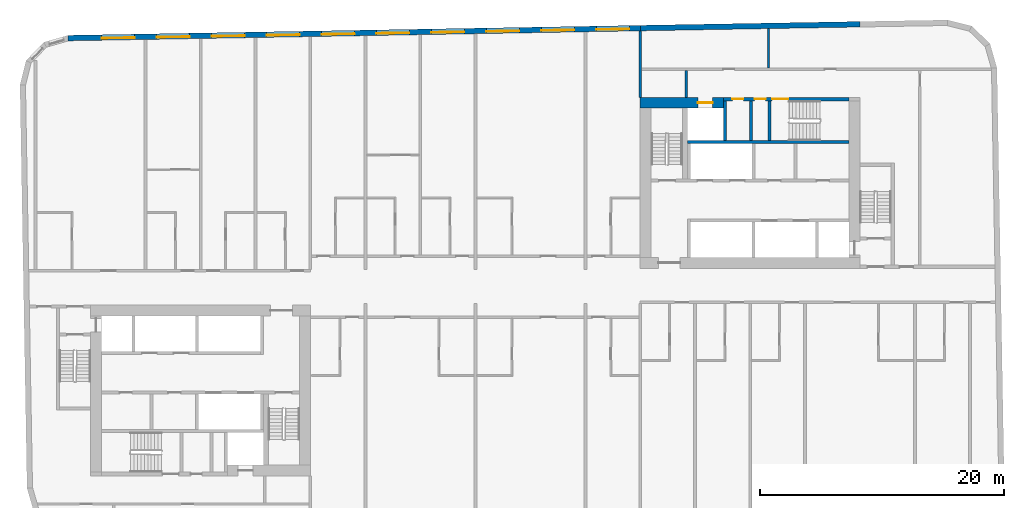
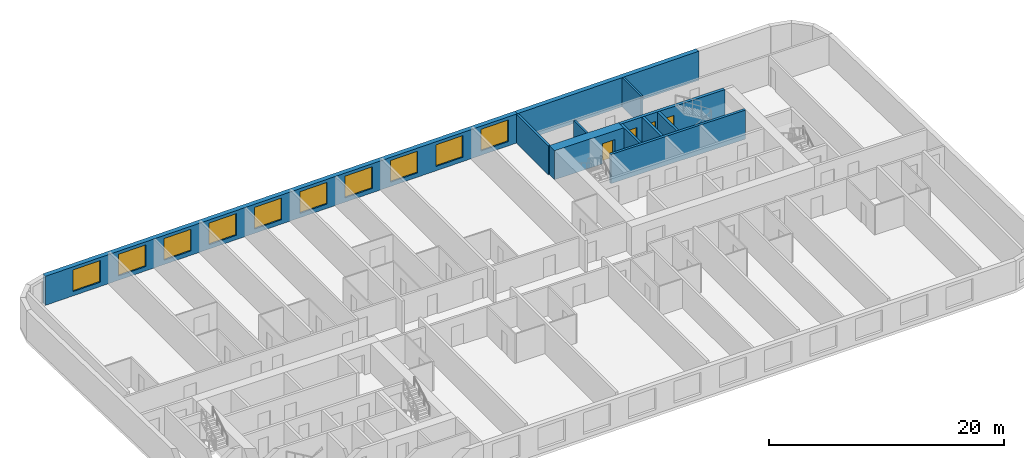
# One storey, part 6 of 11: 11 walls, 10 windows, 4 doors, 14 openings.
"""IFC4 building model written with IfcOpenShell, lengths in metres."""

from ifc_helpers import new_model, si_unit, direction, frame, frame_2d, origin, place, context, subcontext, project, spatial, rectangle, extrude, material, layer, layer_set, type_object, element, fill, save


model = new_model("IFC4")

# Units and contexts
model_context = context("Model", 3, precision=1e-05, world=origin(), true_north=direction((0.0, 1.0)))
body_context = subcontext(model_context, "Body", "Model", "MODEL_VIEW")
ifc_project = project(units=[si_unit("LENGTHUNIT", "METRE"), si_unit("AREAUNIT", "SQUARE_METRE"), si_unit("VOLUMEUNIT", "CUBIC_METRE"), si_unit("PLANEANGLEUNIT", "RADIAN"), si_unit("MASSUNIT", "GRAM", prefix="KILO")], contexts=[model_context])

# Site, building, storey
site_placement = place(None, origin())
site = spatial("IfcSite", under=ifc_project, at=site_placement, CompositionType="ELEMENT")
building_placement = place(site_placement, origin())
building = spatial("IfcBuilding", under=site, at=building_placement, Name="Kajstack Hotel Tower", CompositionType="ELEMENT")
storey_placement = place(building_placement, frame((0.0, 0.0, 250.699951171875)))
storey = spatial("IfcBuildingStorey", under=building, at=storey_placement, Name="L62", CompositionType="ELEMENT", Elevation=250.699951171875)

# Wall, opening, door
ifc_material_1 = material(Name="Concrete C60/75", Category="concrete")
ifc_layer_1 = layer(ifc_material_1, 0.89990234375)
ifc_layer_set_1 = layer_set([ifc_layer_1], Name="Core wall 900")
wall_type_1 = type_object("IfcWallType", Name="Core wall 900", PredefinedType="SHEAR", material=ifc_layer_set_1)
wall_1_placement = place(storey_placement, frame((13.5, 15.050048828125, 0.0), z_axis=(0.0, 0.0, 1.0), x_axis=(1.0, 0.0, 0.0)))
wall_1 = element("IfcWall", 1, at=wall_1_placement, inside=storey, type_object=wall_type_1, Name="Core wall E RS", PredefinedType="SHEAR", context=body_context, shape_type="SweptSolid", body=[
    extrude(rectangle(XDim=6.800048828125, YDim=0.89990234375, at=frame_2d((3.39990234375, 0.0))), origin(), (0.0, 0.0, 1.0), 3.02001953125),
])
opening_1_placement = place(wall_1_placement, frame((4.72509765625, 0.0, 0.0)))
opening_1 = element("IfcOpeningElement", 2, at=opening_1_placement, cuts=wall_1, Name="Opening LD-SV2", PredefinedType="OPENING", context=body_context, shape_type="SweptSolid", body=[
    extrude(rectangle(XDim=1.199951171875, YDim=2.10009765625, at=frame_2d((0.60009765625, 1.050048828125))), frame((0.0, 0.4599609375, 0.0), z_axis=(0.0, -1.0, 0.0), x_axis=(1.0, 0.0, 0.0)), (0.0, 0.0, 1.0), 0.919921875),
])
ifc_material_2 = material(Name="Stainless steel", Category="steel")
door_type_1 = type_object("IfcDoorType", Name="Lift landing door 1200", OperationType="SLIDING_TO_LEFT", PredefinedType="DOOR", material=ifc_material_2)
door_1_placement = place(opening_1_placement, origin())
door_1 = element("IfcDoor", 3, at=door_1_placement, inside=storey, type_object=door_type_1, Name="Landing door SV2", OperationType="SLIDING_TO_LEFT", OverallHeight=2.10009765625, OverallWidth=1.199951171875, PredefinedType="DOOR", context=body_context, shape_type="SweptSolid", body=[
    extrude(rectangle(XDim=1.199951171875, YDim=2.10009765625, at=frame_2d((0.60009765625, 1.050048828125))), frame((0.0, 0.02490234375, 0.0), z_axis=(0.0, -1.0, 0.0), x_axis=(1.0, 0.0, 0.0)), (0.0, 0.0, 1.0), 0.050048828125),
])
fill(opening_1, door_1)

# Walls
ifc_material_3 = material(Name="Twin-frame gypsum board on steel studs, mineral wool", Category="steel")
ifc_layer_2 = layer(ifc_material_3, 0.199951171875)
ifc_layer_set_2 = layer_set([ifc_layer_2], Name="Demising wall 200")
wall_type_2 = type_object("IfcWallType", Name="Demising wall 200", PredefinedType="PARTITIONING", material=ifc_layer_set_2)
wall_2_placement = place(storey_placement, frame((13.5, 15.5, 0.0), z_axis=(0.0, 0.0, 1.0), x_axis=(0.0, 1.0, 0.0)))
element("IfcWall", 4, at=wall_2_placement, inside=storey, type_object=wall_type_2, Name="G-wall-L62-001", PredefinedType="PARTITIONING", context=body_context, shape_type="SweptSolid", body=[
    extrude(rectangle(XDim=5.43603515625, YDim=0.199951171875, at=frame_2d((2.718017578125, 0.0))), origin(), (0.0, 0.0, 1.0), 3.02001953125),
])
ifc_material_4 = material(Name="Concrete C40/50", Category="concrete")
ifc_layer_3 = layer(ifc_material_4, 0.449951171875)
ifc_layer_set_3 = layer_set([ifc_layer_3], Name="EW-CORE")
wall_type_3 = type_object("IfcWallType", Name="EW-CORE", PredefinedType="SOLIDWALL", material=ifc_layer_set_3)
wall_3_placement = place(storey_placement, frame((31.50390625, 21.4755859375, 0.0), z_axis=(0.0, 0.0, 1.0), x_axis=(-0.999847677887, -0.017453395744, 0.0)))
element("IfcWall", 5, at=wall_3_placement, inside=storey, type_object=wall_type_3, Name="E-wall-L62-12-01", PredefinedType="SOLIDWALL", context=body_context, shape_type="SweptSolid", body=[
    extrude(rectangle(XDim=18.002685546875, YDim=0.449951171875, at=frame_2d((9.00146484375, 0.0))), origin(), (0.0, 0.0, 1.0), 3.02001953125),
])

# Wall, openings, windows
ifc_material_5 = material(Name="Terracotta-faced brick masonry", Category="masonry")
ifc_layer_4 = layer(ifc_material_5, 0.449951171875)
ifc_layer_set_4 = layer_set([ifc_layer_4], Name="EW-TERRA")
wall_type_4 = type_object("IfcWallType", Name="EW-TERRA", PredefinedType="SOLIDWALL", material=ifc_layer_set_4)
wall_4_placement = place(storey_placement, frame((13.50390625, 21.161376953125, 0.0), z_axis=(0.0, 0.0, 1.0), x_axis=(-0.999847763257, -0.017448504532, 0.0)))
wall_4 = element("IfcWall", 6, at=wall_4_placement, inside=storey, type_object=wall_type_4, Name="E-wall-L62-12-02", PredefinedType="SOLIDWALL", context=body_context, shape_type="SweptSolid", body=[
    extrude(rectangle(XDim=46.859375, YDim=0.449951171875, at=frame_2d((23.4296875, 0.0))), origin(), (0.0, 0.0, 1.0), 3.02001953125),
])
opening_2_placement = place(wall_4_placement, frame((0.900390625, 0.0, 0.449951171875)))
opening_2 = element("IfcOpeningElement", 7, at=opening_2_placement, cuts=wall_4, Name="Opening W1", PredefinedType="OPENING", context=body_context, shape_type="SweptSolid", body=[
    extrude(rectangle(XDim=2.699951171875, YDim=2.25, at=frame_2d((1.35009765625, 1.125))), frame((0.0, 0.23486328125, 0.0), z_axis=(0.0, -1.0, 0.0), x_axis=(1.0, 0.0, 0.0)), (0.0, 0.0, 1.0), 0.469970703125),
])
opening_3_placement = place(wall_4_placement, frame((5.401123046875, 0.0, 0.449951171875)))
opening_3 = element("IfcOpeningElement", 8, at=opening_3_placement, cuts=wall_4, Name="Opening W1", PredefinedType="OPENING", context=body_context, shape_type="SweptSolid", body=[
    extrude(rectangle(XDim=2.699951171875, YDim=2.25, at=frame_2d((1.35009765625, 1.125))), frame((0.0, 0.23486328125, 0.0), z_axis=(0.0, -1.0, 0.0), x_axis=(1.0, 0.0, 0.0)), (0.0, 0.0, 1.0), 0.469970703125),
])
opening_4_placement = place(wall_4_placement, frame((9.90185546875, 0.0, 0.449951171875)))
opening_4 = element("IfcOpeningElement", 9, at=opening_4_placement, cuts=wall_4, Name="Opening W1", PredefinedType="OPENING", context=body_context, shape_type="SweptSolid", body=[
    extrude(rectangle(XDim=2.699951171875, YDim=2.25, at=frame_2d((1.35009765625, 1.125))), frame((0.0, 0.23486328125, 0.0), z_axis=(0.0, -1.0, 0.0), x_axis=(1.0, 0.0, 0.0)), (0.0, 0.0, 1.0), 0.469970703125),
])
opening_5_placement = place(wall_4_placement, frame((14.40234375, 0.0, 0.449951171875)))
opening_5 = element("IfcOpeningElement", 10, at=opening_5_placement, cuts=wall_4, Name="Opening W1", PredefinedType="OPENING", context=body_context, shape_type="SweptSolid", body=[
    extrude(rectangle(XDim=2.699951171875, YDim=2.25, at=frame_2d((1.35009765625, 1.125))), frame((0.0, 0.23486328125, 0.0), z_axis=(0.0, -1.0, 0.0), x_axis=(1.0, 0.0, 0.0)), (0.0, 0.0, 1.0), 0.469970703125),
])
opening_6_placement = place(wall_4_placement, frame((18.9033203125, 0.0, 0.449951171875)))
opening_6 = element("IfcOpeningElement", 11, at=opening_6_placement, cuts=wall_4, Name="Opening W1", PredefinedType="OPENING", context=body_context, shape_type="SweptSolid", body=[
    extrude(rectangle(XDim=2.699951171875, YDim=2.25, at=frame_2d((1.35009765625, 1.125))), frame((0.0, 0.23486328125, 0.0), z_axis=(0.0, -1.0, 0.0), x_axis=(1.0, 0.0, 0.0)), (0.0, 0.0, 1.0), 0.469970703125),
])
opening_7_placement = place(wall_4_placement, frame((23.40380859375, 0.0, 0.449951171875)))
opening_7 = element("IfcOpeningElement", 12, at=opening_7_placement, cuts=wall_4, Name="Opening W1", PredefinedType="OPENING", context=body_context, shape_type="SweptSolid", body=[
    extrude(rectangle(XDim=2.699951171875, YDim=2.25, at=frame_2d((1.35009765625, 1.125))), frame((0.0, 0.23486328125, 0.0), z_axis=(0.0, -1.0, 0.0), x_axis=(1.0, 0.0, 0.0)), (0.0, 0.0, 1.0), 0.469970703125),
])
opening_8_placement = place(wall_4_placement, frame((27.904296875, 0.0, 0.449951171875)))
opening_8 = element("IfcOpeningElement", 13, at=opening_8_placement, cuts=wall_4, Name="Opening W1", PredefinedType="OPENING", context=body_context, shape_type="SweptSolid", body=[
    extrude(rectangle(XDim=2.699951171875, YDim=2.25, at=frame_2d((1.35009765625, 1.125))), frame((0.0, 0.23486328125, 0.0), z_axis=(0.0, -1.0, 0.0), x_axis=(1.0, 0.0, 0.0)), (0.0, 0.0, 1.0), 0.469970703125),
])
opening_9_placement = place(wall_4_placement, frame((32.4052734375, 0.0, 0.449951171875)))
opening_9 = element("IfcOpeningElement", 14, at=opening_9_placement, cuts=wall_4, Name="Opening W1", PredefinedType="OPENING", context=body_context, shape_type="SweptSolid", body=[
    extrude(rectangle(XDim=2.699951171875, YDim=2.25, at=frame_2d((1.35009765625, 1.125))), frame((0.0, 0.23486328125, 0.0), z_axis=(0.0, -1.0, 0.0), x_axis=(1.0, 0.0, 0.0)), (0.0, 0.0, 1.0), 0.469970703125),
])
opening_10_placement = place(wall_4_placement, frame((36.906005859375, 0.0, 0.449951171875)))
opening_10 = element("IfcOpeningElement", 15, at=opening_10_placement, cuts=wall_4, Name="Opening W1", PredefinedType="OPENING", context=body_context, shape_type="SweptSolid", body=[
    extrude(rectangle(XDim=2.699951171875, YDim=2.25, at=frame_2d((1.35009765625, 1.125))), frame((0.0, 0.23486328125, 0.0), z_axis=(0.0, -1.0, 0.0), x_axis=(1.0, 0.0, 0.0)), (0.0, 0.0, 1.0), 0.469970703125),
])
opening_11_placement = place(wall_4_placement, frame((41.406494140625, 0.0, 0.449951171875)))
opening_11 = element("IfcOpeningElement", 16, at=opening_11_placement, cuts=wall_4, Name="Opening W1", PredefinedType="OPENING", context=body_context, shape_type="SweptSolid", body=[
    extrude(rectangle(XDim=2.699951171875, YDim=2.25, at=frame_2d((1.35009765625, 1.125))), frame((0.0, 0.23486328125, 0.0), z_axis=(0.0, -1.0, 0.0), x_axis=(1.0, 0.0, 0.0)), (0.0, 0.0, 1.0), 0.469970703125),
])
ifc_material_6 = material(Name="Timber-aluminium window, triple glazed", Category="wood")
window_type = type_object("IfcWindowType", Name="WG1", PartitioningType="SINGLE_PANEL", PredefinedType="WINDOW", material=ifc_material_6)
window_1_placement = place(opening_2_placement, origin())
window_1 = element("IfcWindow", 17, at=window_1_placement, inside=storey, type_object=window_type, Name="Window W1 L62-12", OverallHeight=2.25, OverallWidth=2.699951171875, PartitioningType="SINGLE_PANEL", PredefinedType="WINDOW", context=body_context, shape_type="SweptSolid", body=[
    extrude(rectangle(XDim=2.699951171875, YDim=2.25, at=frame_2d((1.35009765625, 1.125))), frame((0.0, 0.090087890625, 0.0), z_axis=(0.0, -1.0, 0.0), x_axis=(1.0, 0.0, 0.0)), (0.0, 0.0, 1.0), 0.06005859375),
])
fill(opening_2, window_1)
window_2_placement = place(opening_3_placement, origin())
window_2 = element("IfcWindow", 18, at=window_2_placement, inside=storey, type_object=window_type, Name="Window W1 L62-12", OverallHeight=2.25, OverallWidth=2.699951171875, PartitioningType="SINGLE_PANEL", PredefinedType="WINDOW", context=body_context, shape_type="SweptSolid", body=[
    extrude(rectangle(XDim=2.699951171875, YDim=2.25, at=frame_2d((1.35009765625, 1.125))), frame((0.0, 0.090087890625, 0.0), z_axis=(0.0, -1.0, 0.0), x_axis=(1.0, 0.0, 0.0)), (0.0, 0.0, 1.0), 0.06005859375),
])
fill(opening_3, window_2)
window_3_placement = place(opening_4_placement, origin())
window_3 = element("IfcWindow", 19, at=window_3_placement, inside=storey, type_object=window_type, Name="Window W1 L62-12", OverallHeight=2.25, OverallWidth=2.699951171875, PartitioningType="SINGLE_PANEL", PredefinedType="WINDOW", context=body_context, shape_type="SweptSolid", body=[
    extrude(rectangle(XDim=2.699951171875, YDim=2.25, at=frame_2d((1.35009765625, 1.125))), frame((0.0, 0.090087890625, 0.0), z_axis=(0.0, -1.0, 0.0), x_axis=(1.0, 0.0, 0.0)), (0.0, 0.0, 1.0), 0.06005859375),
])
fill(opening_4, window_3)
window_4_placement = place(opening_5_placement, origin())
window_4 = element("IfcWindow", 20, at=window_4_placement, inside=storey, type_object=window_type, Name="Window W1 L62-12", OverallHeight=2.25, OverallWidth=2.699951171875, PartitioningType="SINGLE_PANEL", PredefinedType="WINDOW", context=body_context, shape_type="SweptSolid", body=[
    extrude(rectangle(XDim=2.699951171875, YDim=2.25, at=frame_2d((1.35009765625, 1.125))), frame((0.0, 0.090087890625, 0.0), z_axis=(0.0, -1.0, 0.0), x_axis=(1.0, 0.0, 0.0)), (0.0, 0.0, 1.0), 0.06005859375),
])
fill(opening_5, window_4)
window_5_placement = place(opening_6_placement, origin())
window_5 = element("IfcWindow", 21, at=window_5_placement, inside=storey, type_object=window_type, Name="Window W1 L62-12", OverallHeight=2.25, OverallWidth=2.699951171875, PartitioningType="SINGLE_PANEL", PredefinedType="WINDOW", context=body_context, shape_type="SweptSolid", body=[
    extrude(rectangle(XDim=2.699951171875, YDim=2.25, at=frame_2d((1.35009765625, 1.125))), frame((0.0, 0.090087890625, 0.0), z_axis=(0.0, -1.0, 0.0), x_axis=(1.0, 0.0, 0.0)), (0.0, 0.0, 1.0), 0.06005859375),
])
fill(opening_6, window_5)
window_6_placement = place(opening_7_placement, origin())
window_6 = element("IfcWindow", 22, at=window_6_placement, inside=storey, type_object=window_type, Name="Window W1 L62-12", OverallHeight=2.25, OverallWidth=2.699951171875, PartitioningType="SINGLE_PANEL", PredefinedType="WINDOW", context=body_context, shape_type="SweptSolid", body=[
    extrude(rectangle(XDim=2.699951171875, YDim=2.25, at=frame_2d((1.35009765625, 1.125))), frame((0.0, 0.090087890625, 0.0), z_axis=(0.0, -1.0, 0.0), x_axis=(1.0, 0.0, 0.0)), (0.0, 0.0, 1.0), 0.06005859375),
])
fill(opening_7, window_6)
window_7_placement = place(opening_8_placement, origin())
window_7 = element("IfcWindow", 23, at=window_7_placement, inside=storey, type_object=window_type, Name="Window W1 L62-12", OverallHeight=2.25, OverallWidth=2.699951171875, PartitioningType="SINGLE_PANEL", PredefinedType="WINDOW", context=body_context, shape_type="SweptSolid", body=[
    extrude(rectangle(XDim=2.699951171875, YDim=2.25, at=frame_2d((1.35009765625, 1.125))), frame((0.0, 0.090087890625, 0.0), z_axis=(0.0, -1.0, 0.0), x_axis=(1.0, 0.0, 0.0)), (0.0, 0.0, 1.0), 0.06005859375),
])
fill(opening_8, window_7)
window_8_placement = place(opening_9_placement, origin())
window_8 = element("IfcWindow", 24, at=window_8_placement, inside=storey, type_object=window_type, Name="Window W1 L62-12", OverallHeight=2.25, OverallWidth=2.699951171875, PartitioningType="SINGLE_PANEL", PredefinedType="WINDOW", context=body_context, shape_type="SweptSolid", body=[
    extrude(rectangle(XDim=2.699951171875, YDim=2.25, at=frame_2d((1.35009765625, 1.125))), frame((0.0, 0.090087890625, 0.0), z_axis=(0.0, -1.0, 0.0), x_axis=(1.0, 0.0, 0.0)), (0.0, 0.0, 1.0), 0.06005859375),
])
fill(opening_9, window_8)
window_9_placement = place(opening_10_placement, origin())
window_9 = element("IfcWindow", 25, at=window_9_placement, inside=storey, type_object=window_type, Name="Window W1 L62-12", OverallHeight=2.25, OverallWidth=2.699951171875, PartitioningType="SINGLE_PANEL", PredefinedType="WINDOW", context=body_context, shape_type="SweptSolid", body=[
    extrude(rectangle(XDim=2.699951171875, YDim=2.25, at=frame_2d((1.35009765625, 1.125))), frame((0.0, 0.090087890625, 0.0), z_axis=(0.0, -1.0, 0.0), x_axis=(1.0, 0.0, 0.0)), (0.0, 0.0, 1.0), 0.06005859375),
])
fill(opening_10, window_9)
window_10_placement = place(opening_11_placement, origin())
window_10 = element("IfcWindow", 26, at=window_10_placement, inside=storey, type_object=window_type, Name="Window W1 L62-12", OverallHeight=2.25, OverallWidth=2.699951171875, PartitioningType="SINGLE_PANEL", PredefinedType="WINDOW", context=body_context, shape_type="SweptSolid", body=[
    extrude(rectangle(XDim=2.699951171875, YDim=2.25, at=frame_2d((1.35009765625, 1.125))), frame((0.0, 0.090087890625, 0.0), z_axis=(0.0, -1.0, 0.0), x_axis=(1.0, 0.0, 0.0)), (0.0, 0.0, 1.0), 0.06005859375),
])
fill(opening_11, window_10)

# Walls
ifc_material_7 = material(Name="Concrete block masonry", Category="masonry")
ifc_layer_5 = layer(ifc_material_7, 0.25)
ifc_layer_set_5 = layer_set([ifc_layer_5], Name="Riser partition 250")
wall_type_5 = type_object("IfcWallType", Name="Riser partition 250", PredefinedType="PARTITIONING", material=ifc_layer_set_5)
wall_5_placement = place(storey_placement, frame((22.550048828125, 11.949951171875, 0.0), z_axis=(0.0, 0.0, 1.0), x_axis=(0.0, 1.0, 0.0)))
element("IfcWall", 27, at=wall_5_placement, inside=storey, type_object=wall_type_5, Name="Partition E SZ0", PredefinedType="PARTITIONING", context=body_context, shape_type="SweptSolid", body=[
    extrude(rectangle(XDim=3.25, YDim=0.25, at=frame_2d((1.625, 0.0))), origin(), (0.0, 0.0, 1.0), 3.02001953125),
])
ifc_material_8 = material(Name="Gypsum board on steel studs, mineral wool", Category="steel")
ifc_layer_6 = layer(ifc_material_8, 0.199951171875)
ifc_layer_set_6 = layer_set([ifc_layer_6], Name="Service partition 200")
wall_type_6 = type_object("IfcWallType", Name="Service partition 200", PredefinedType="PARTITIONING", material=ifc_layer_set_6)
wall_6_placement = place(storey_placement, frame((17.25, 15.5, 0.0), z_axis=(0.0, 0.0, 1.0), x_axis=(0.0, 1.0, 0.0)))
element("IfcWall", 28, at=wall_6_placement, inside=storey, type_object=wall_type_6, Name="Partition E SCE", PredefinedType="PARTITIONING", context=body_context, shape_type="SweptSolid", body=[
    extrude(rectangle(XDim=2.199951171875, YDim=0.199951171875, at=frame_2d((1.10009765625, 0.0))), origin(), (0.0, 0.0, 1.0), 3.02001953125),
])
wall_7_placement = place(storey_placement, frame((24.0, 17.89990234375, 0.0), z_axis=(0.0, 0.0, 1.0), x_axis=(0.0, 1.0, 0.0)))
element("IfcWall", 29, at=wall_7_placement, inside=storey, type_object=wall_type_6, Name="Partition E SLP0", PredefinedType="PARTITIONING", context=body_context, shape_type="SweptSolid", body=[
    extrude(rectangle(XDim=3.219970703125, YDim=0.199951171875, at=frame_2d((1.60986328125, 0.0))), origin(), (0.0, 0.0, 1.0), 3.02001953125),
])

# Wall, openings, doors
ifc_material_9 = material(Name="Concrete C50/60", Category="concrete")
ifc_layer_7 = layer(ifc_material_9, 0.25)
ifc_layer_set_7 = layer_set([ifc_layer_7], Name="Shaft wall 250")
wall_type_7 = type_object("IfcWallType", Name="Shaft wall 250", PredefinedType="SHEAR", material=ifc_layer_set_7)
wall_8_placement = place(storey_placement, frame((20.300048828125, 15.35009765625, 0.0), z_axis=(0.0, 0.0, 1.0), x_axis=(1.0, 0.0, 0.0)))
wall_8 = element("IfcWall", 30, at=wall_8_placement, inside=storey, type_object=wall_type_7, Name="Core wall E RSS", PredefinedType="SHEAR", context=body_context, shape_type="SweptSolid", body=[
    extrude(rectangle(XDim=10.300048828125, YDim=0.300048828125, at=frame_2d((5.14990234375, 0.0))), origin(), (0.0, 0.0, 1.0), 3.02001953125),
])
opening_12_placement = place(wall_8_placement, frame((4.0, 0.0, 0.0)))
opening_12 = element("IfcOpeningElement", 31, at=opening_12_placement, cuts=wall_8, Name="Opening 62E12", PredefinedType="OPENING", context=body_context, shape_type="SweptSolid", body=[
    extrude(rectangle(XDim=1.300048828125, YDim=2.10009765625, at=frame_2d((0.64990234375, 1.050048828125))), frame((0.0, 0.159912109375, 0.0), z_axis=(0.0, -1.0, 0.0), x_axis=(1.0, 0.0, 0.0)), (0.0, 0.0, 1.0), 0.320068359375),
])
opening_13_placement = place(wall_8_placement, frame((2.5625, 0.0, 0.0)))
opening_13 = element("IfcOpeningElement", 32, at=opening_13_placement, cuts=wall_8, Name="Opening 62E13", PredefinedType="OPENING", context=body_context, shape_type="SweptSolid", body=[
    extrude(rectangle(XDim=0.89990234375, YDim=2.10009765625, at=frame_2d((0.449951171875, 1.050048828125))), frame((0.0, 0.159912109375, 0.0), z_axis=(0.0, -1.0, 0.0), x_axis=(1.0, 0.0, 0.0)), (0.0, 0.0, 1.0), 0.320068359375),
])
opening_14_placement = place(wall_8_placement, frame((0.737548828125, 0.0, 0.0)))
opening_14 = element("IfcOpeningElement", 33, at=opening_14_placement, cuts=wall_8, Name="Opening 62E14", PredefinedType="OPENING", context=body_context, shape_type="SweptSolid", body=[
    extrude(rectangle(XDim=0.89990234375, YDim=2.10009765625, at=frame_2d((0.449951171875, 1.050048828125))), frame((0.0, 0.159912109375, 0.0), z_axis=(0.0, -1.0, 0.0), x_axis=(1.0, 0.0, 0.0)), (0.0, 0.0, 1.0), 0.320068359375),
])
ifc_material_10 = material(Name="Steel leaf, fire-rated", Category="steel")
door_type_2 = type_object("IfcDoorType", Name="Riser door 900", OperationType="SINGLE_SWING_LEFT", PredefinedType="DOOR", material=ifc_material_10)
door_2_placement = place(opening_14_placement, origin())
door_2 = element("IfcDoor", 34, at=door_2_placement, inside=storey, type_object=door_type_2, Name="Door 62E14", OperationType="SINGLE_SWING_RIGHT", OverallHeight=2.10009765625, OverallWidth=0.89990234375, PredefinedType="DOOR", context=body_context, shape_type="SweptSolid", body=[
    extrude(rectangle(XDim=0.89990234375, YDim=2.10009765625, at=frame_2d((0.449951171875, 1.050048828125))), frame((0.0, 0.02490234375, 0.0), z_axis=(0.0, -1.0, 0.0), x_axis=(1.0, 0.0, 0.0)), (0.0, 0.0, 1.0), 0.050048828125),
])
fill(opening_14, door_2)
ifc_material_11 = material(Name="Timber leaf, fire-rated", Category="wood")
door_type_3 = type_object("IfcDoorType", Name="Service door 900", OperationType="SINGLE_SWING_LEFT", PredefinedType="DOOR", material=ifc_material_11)
door_3_placement = place(opening_13_placement, origin())
door_3 = element("IfcDoor", 35, at=door_3_placement, inside=storey, type_object=door_type_3, Name="Door 62E13", OperationType="SINGLE_SWING_RIGHT", OverallHeight=2.10009765625, OverallWidth=0.89990234375, PredefinedType="DOOR", context=body_context, shape_type="SweptSolid", body=[
    extrude(rectangle(XDim=0.89990234375, YDim=2.10009765625, at=frame_2d((0.449951171875, 1.050048828125))), frame((0.0, 0.02490234375, 0.0), z_axis=(0.0, -1.0, 0.0), x_axis=(1.0, 0.0, 0.0)), (0.0, 0.0, 1.0), 0.050048828125),
])
fill(opening_13, door_3)
door_type_4 = type_object("IfcDoorType", Name="Stair door 1300", OperationType="SINGLE_SWING_LEFT", PredefinedType="DOOR", material=ifc_material_10)
door_4_placement = place(opening_12_placement, origin())
door_4 = element("IfcDoor", 36, at=door_4_placement, inside=storey, type_object=door_type_4, Name="Door 62E12", OperationType="SINGLE_SWING_LEFT", OverallHeight=2.10009765625, OverallWidth=1.300048828125, PredefinedType="DOOR", context=body_context, shape_type="SweptSolid", body=[
    extrude(rectangle(XDim=1.300048828125, YDim=2.10009765625, at=frame_2d((0.64990234375, 1.050048828125))), frame((0.0, 0.02490234375, 0.0), z_axis=(0.0, -1.0, 0.0), x_axis=(1.0, 0.0, 0.0)), (0.0, 0.0, 1.0), 0.050048828125),
])
fill(opening_12, door_4)

# Walls
wall_9_placement = place(storey_placement, frame((17.35009765625, 11.824951171875, 0.0), z_axis=(0.0, 0.0, 1.0), x_axis=(1.0, 0.0, 0.0)))
element("IfcWall", 37, at=wall_9_placement, inside=storey, type_object=wall_type_7, Name="Core wall E RB", PredefinedType="SHEAR", context=body_context, shape_type="SweptSolid", body=[
    extrude(rectangle(XDim=13.25, YDim=0.25, at=frame_2d((6.625, 0.0))), origin(), (0.0, 0.0, 1.0), 3.02001953125),
])
wall_10_placement = place(storey_placement, frame((20.425048828125, 11.949951171875, 0.0), z_axis=(0.0, 0.0, 1.0), x_axis=(0.0, 1.0, 0.0)))
element("IfcWall", 38, at=wall_10_placement, inside=storey, type_object=wall_type_7, Name="Core wall E SVW", PredefinedType="SHEAR", context=body_context, shape_type="SweptSolid", body=[
    extrude(rectangle(XDim=3.25, YDim=0.25, at=frame_2d((1.625, 0.0))), origin(), (0.0, 0.0, 1.0), 3.02001953125),
])
ifc_layer_8 = layer(ifc_material_9, 0.35009765625)
ifc_layer_set_8 = layer_set([ifc_layer_8], Name="Stair enclosure wall 350")
wall_type_8 = type_object("IfcWallType", Name="Stair enclosure wall 350", PredefinedType="SHEAR", material=ifc_layer_set_8)
wall_11_placement = place(storey_placement, frame((24.074951171875, 11.949951171875, 0.0), z_axis=(0.0, 0.0, 1.0), x_axis=(0.0, 1.0, 0.0)))
element("IfcWall", 39, at=wall_11_placement, inside=storey, type_object=wall_type_8, Name="Core wall E W3E", PredefinedType="SHEAR", context=body_context, shape_type="SweptSolid", body=[
    extrude(rectangle(XDim=3.25, YDim=0.25, at=frame_2d((1.625, 0.0))), origin(), (0.0, 0.0, 1.0), 3.02001953125),
])

save(model, "model.ifc")
